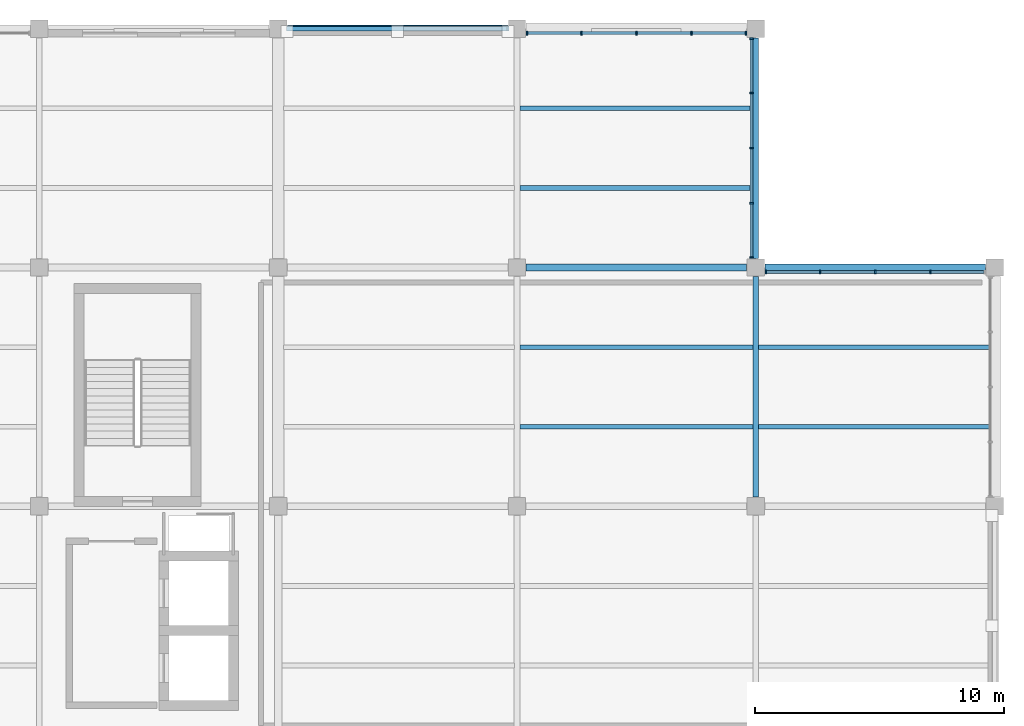
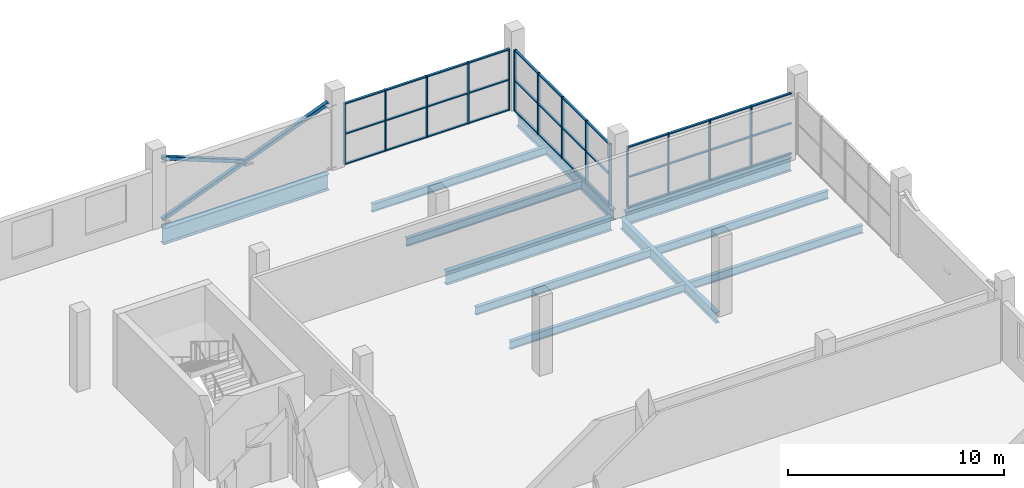
# One storey, part 46 of 92: 52 members, 11 beams, 3 elements without a shape of their own.
"""IFC4 building model written with IfcOpenShell, lengths in metres."""

from ifc_helpers import new_model, si_unit, direction, frame, origin, origin_2d, place, context, subcontext, project, spatial, rectangle, hollow_rectangle, i_section, extrude, material, layer, layer_set, material_profile, profile_set, type_object, element, aggregate, save


model = new_model("IFC4")

# Units and contexts
model_context = context("Model", 3, precision=1e-05, world=origin(), true_north=direction((0.0, 1.0)))
body_context = subcontext(model_context, "Body", "Model", "MODEL_VIEW")
ifc_project = project(units=[si_unit("LENGTHUNIT", "METRE"), si_unit("AREAUNIT", "SQUARE_METRE"), si_unit("VOLUMEUNIT", "CUBIC_METRE"), si_unit("PLANEANGLEUNIT", "RADIAN"), si_unit("MASSUNIT", "GRAM", prefix="KILO")], contexts=[model_context])

# Site, building, storey
site_placement = place(None, origin())
site = spatial("IfcSite", under=ifc_project, at=site_placement, CompositionType="ELEMENT")
building_placement = place(site_placement, origin())
building = spatial("IfcBuilding", under=site, at=building_placement, Name="Caelomonte Colonnade Arena", CompositionType="ELEMENT")
storey_placement = place(building_placement, frame((0.0, 0.0, 9.60009765625)))
storey = spatial("IfcBuildingStorey", under=building, at=storey_placement, Name="L02", CompositionType="ELEMENT", Elevation=9.60009765625)

# Curtain wall, members
ifc_material_1 = material(Name="Bronze anodised aluminium and low-E glazing", Category="aluminium")
ifc_layer = layer(ifc_material_1, 0.179931640625)
ifc_layer_set = layer_set([ifc_layer], Name="Bronze anodised aluminium and low-E glazing")
curtain_wall_type = type_object("IfcCurtainWallType", Name="ENV-CW-CW-L02-96-35", PredefinedType="USERDEFINED", material=ifc_layer_set)
curtain_wall_1_placement = place(storey_placement, origin())
curtain_wall_1 = element("IfcCurtainWall", 1, at=curtain_wall_1_placement, inside=storey, type_object=curtain_wall_type, Name="L02 unitized curtain wall CW-L02-1872-1342", ObjectType="UNITIZED CURTAIN WALL", PredefinedType="USERDEFINED")
ifc_material_2 = material(Name="Bronze anodised aluminium AA6063-T6", Category="aluminium")
ifc_material_profile_1 = material_profile(ifc_material_2, rectangle(XDim=0.06494140625, YDim=0.14990234375, at=origin_2d()), Name="CWM-65X150")
ifc_profile_set_1 = profile_set([ifc_material_profile_1], Name="Bronze anodised aluminium AA6063-T6")
member_type_1 = type_object("IfcMemberType", Name="ENV-CW-MULL2", PredefinedType="MULLION", material=ifc_profile_set_1)
member_1_placement = place(storey_placement, frame((189.4150390625, 134.219970703125, 0.0), z_axis=(0.0, 0.0, 1.0), x_axis=(-1.0, 0.0, 0.0)))
member_1 = element("IfcMember", 2, at=member_1_placement, type_object=member_type_1, Name="CW-L02-96-35 mullion 2", PredefinedType="MULLION", context=body_context, shape_type="SweptSolid", body=[
    extrude(rectangle(XDim=0.06494140625, YDim=0.14990234375, at=origin_2d()), origin(), (0.0, 0.0, 1.0), 3.465576171875),
])
member_2_placement = place(storey_placement, frame((187.199951171875, 134.219970703125, 0.0), z_axis=(0.0, 0.0, 1.0), x_axis=(-1.0, 0.0, 0.0)))
member_2 = element("IfcMember", 3, at=member_2_placement, type_object=member_type_1, Name="CW-L02-96-35 mullion 3", PredefinedType="MULLION", context=body_context, shape_type="SweptSolid", body=[
    extrude(rectangle(XDim=0.06494140625, YDim=0.14990234375, at=origin_2d()), origin(), (0.0, 0.0, 1.0), 3.465576171875),
])
member_3_placement = place(storey_placement, frame((184.985107421875, 134.219970703125, 0.0), z_axis=(0.0, 0.0, 1.0), x_axis=(-1.0, 0.0, 0.0)))
member_3 = element("IfcMember", 4, at=member_3_placement, type_object=member_type_1, Name="CW-L02-96-35 mullion 4", PredefinedType="MULLION", context=body_context, shape_type="SweptSolid", body=[
    extrude(rectangle(XDim=0.06494140625, YDim=0.14990234375, at=origin_2d()), origin(), (0.0, 0.0, 1.0), 3.465576171875),
])
member_4_placement = place(storey_placement, frame((182.802490234375, 134.219970703125, 0.0), z_axis=(0.0, 0.0, 1.0), x_axis=(-1.0, 0.0, 0.0)))
member_4 = element("IfcMember", 5, at=member_4_placement, type_object=member_type_1, Name="CW-L02-96-35 mullion 5", PredefinedType="MULLION", context=body_context, shape_type="SweptSolid", body=[
    extrude(rectangle(XDim=0.06494140625, YDim=0.14990234375, at=origin_2d()), origin(), (0.0, 0.0, 1.0), 3.465576171875),
])

curtain_wall_2_placement = place(storey_placement, origin())
curtain_wall_2 = element("IfcCurtainWall", 6, at=curtain_wall_2_placement, inside=storey, type_object=curtain_wall_type, Name="L02 unitized curtain wall CW-L02-1822-1392", ObjectType="UNITIZED CURTAIN WALL", PredefinedType="USERDEFINED")
member_5_placement = place(storey_placement, frame((182.219970703125, 134.802490234375, 0.0), z_axis=(0.0, 0.0, 1.0), x_axis=(0.0, 1.0, 0.0)))
member_5 = element("IfcMember", 7, at=member_5_placement, type_object=member_type_1, Name="CW-L02-96-35 mullion 1", PredefinedType="MULLION", context=body_context, shape_type="SweptSolid", body=[
    extrude(rectangle(XDim=0.06494140625, YDim=0.14990234375, at=origin_2d()), origin(), (0.0, 0.0, 1.0), 3.469970703125),
])
member_6_placement = place(storey_placement, frame((182.219970703125, 136.985107421875, 0.0), z_axis=(0.0, 0.0, 1.0), x_axis=(0.0, 1.0, 0.0)))
member_6 = element("IfcMember", 8, at=member_6_placement, type_object=member_type_1, Name="CW-L02-96-35 mullion 2", PredefinedType="MULLION", context=body_context, shape_type="SweptSolid", body=[
    extrude(rectangle(XDim=0.06494140625, YDim=0.14990234375, at=origin_2d()), origin(), (0.0, 0.0, 1.0), 3.469970703125),
])
member_7_placement = place(storey_placement, frame((182.219970703125, 139.199951171875, 0.0), z_axis=(0.0, 0.0, 1.0), x_axis=(0.0, 1.0, 0.0)))
member_7 = element("IfcMember", 9, at=member_7_placement, type_object=member_type_1, Name="CW-L02-96-35 mullion 3", PredefinedType="MULLION", context=body_context, shape_type="SweptSolid", body=[
    extrude(rectangle(XDim=0.06494140625, YDim=0.14990234375, at=origin_2d()), origin(), (0.0, 0.0, 1.0), 3.469970703125),
])
member_8_placement = place(storey_placement, frame((182.219970703125, 141.4150390625, 0.0), z_axis=(0.0, 0.0, 1.0), x_axis=(0.0, 1.0, 0.0)))
member_8 = element("IfcMember", 10, at=member_8_placement, type_object=member_type_1, Name="CW-L02-96-35 mullion 4", PredefinedType="MULLION", context=body_context, shape_type="SweptSolid", body=[
    extrude(rectangle(XDim=0.06494140625, YDim=0.14990234375, at=origin_2d()), origin(), (0.0, 0.0, 1.0), 3.469970703125),
])
member_9_placement = place(storey_placement, frame((182.219970703125, 143.597412109375, 0.0), z_axis=(0.0, 0.0, 1.0), x_axis=(0.0, 1.0, 0.0)))
member_9 = element("IfcMember", 11, at=member_9_placement, type_object=member_type_1, Name="CW-L02-96-35 mullion 5", PredefinedType="MULLION", context=body_context, shape_type="SweptSolid", body=[
    extrude(rectangle(XDim=0.06494140625, YDim=0.14990234375, at=origin_2d()), origin(), (0.0, 0.0, 1.0), 3.469970703125),
])

curtain_wall_3_placement = place(storey_placement, origin())
curtain_wall_3 = element("IfcCurtainWall", 12, at=curtain_wall_3_placement, inside=storey, type_object=curtain_wall_type, Name="L02 unitized curtain wall CW-L02-1776-1438", ObjectType="UNITIZED CURTAIN WALL", PredefinedType="USERDEFINED")
member_10_placement = place(storey_placement, frame((181.99755859375, 143.820068359375, 0.0), z_axis=(0.0, 0.0, 1.0), x_axis=(-1.0, 0.0, 0.0)))
member_10 = element("IfcMember", 13, at=member_10_placement, type_object=member_type_1, Name="CW-L02-96-35 mullion 1", PredefinedType="MULLION", context=body_context, shape_type="SweptSolid", body=[
    extrude(rectangle(XDim=0.06494140625, YDim=0.14990234375, at=origin_2d()), origin(), (0.0, 0.0, 1.0), 3.469970703125),
])
member_11_placement = place(storey_placement, frame((179.81494140625, 143.820068359375, 0.0), z_axis=(0.0, 0.0, 1.0), x_axis=(-1.0, 0.0, 0.0)))
member_11 = element("IfcMember", 14, at=member_11_placement, type_object=member_type_1, Name="CW-L02-96-35 mullion 2", PredefinedType="MULLION", context=body_context, shape_type="SweptSolid", body=[
    extrude(rectangle(XDim=0.06494140625, YDim=0.14990234375, at=origin_2d()), origin(), (0.0, 0.0, 1.0), 3.469970703125),
])
member_12_placement = place(storey_placement, frame((177.60009765625, 143.820068359375, 0.0), z_axis=(0.0, 0.0, 1.0), x_axis=(-1.0, 0.0, 0.0)))
member_12 = element("IfcMember", 15, at=member_12_placement, type_object=member_type_1, Name="CW-L02-96-35 mullion 3", PredefinedType="MULLION", context=body_context, shape_type="SweptSolid", body=[
    extrude(rectangle(XDim=0.06494140625, YDim=0.14990234375, at=origin_2d()), origin(), (0.0, 0.0, 1.0), 3.469970703125),
])
member_13_placement = place(storey_placement, frame((175.385009765625, 143.820068359375, 0.0), z_axis=(0.0, 0.0, 1.0), x_axis=(-1.0, 0.0, 0.0)))
member_13 = element("IfcMember", 16, at=member_13_placement, type_object=member_type_1, Name="CW-L02-96-35 mullion 4", PredefinedType="MULLION", context=body_context, shape_type="SweptSolid", body=[
    extrude(rectangle(XDim=0.06494140625, YDim=0.14990234375, at=origin_2d()), origin(), (0.0, 0.0, 1.0), 3.469970703125),
])
member_14_placement = place(storey_placement, frame((173.202392578125, 143.820068359375, 0.0), z_axis=(0.0, 0.0, 1.0), x_axis=(-1.0, 0.0, 0.0)))
member_14 = element("IfcMember", 17, at=member_14_placement, type_object=member_type_1, Name="CW-L02-96-35 mullion 5", PredefinedType="MULLION", context=body_context, shape_type="SweptSolid", body=[
    extrude(rectangle(XDim=0.06494140625, YDim=0.14990234375, at=origin_2d()), origin(), (0.0, 0.0, 1.0), 3.469970703125),
])

# Member
ifc_material_profile_2 = material_profile(ifc_material_2, rectangle(XDim=0.06494140625, YDim=0.1201171875, at=origin_2d()), Name="CWT-65X120")
ifc_profile_set_2 = profile_set([ifc_material_profile_2], Name="Bronze anodised aluminium AA6063-T6")
member_type_2 = type_object("IfcMemberType", Name="ENV-CW-TRAN2", PredefinedType="USERDEFINED", material=ifc_profile_set_2)
member_15_placement = place(storey_placement, frame((191.56494140625, 134.219970703125, 0.032470703125), z_axis=(-1.0, 0.0, 0.0), x_axis=(0.0, 0.0, 1.0)))
member_15 = element("IfcMember", 18, at=member_15_placement, type_object=member_type_2, Name="CW-L02-96-35 transom 1.1", ObjectType="TRANSOM", PredefinedType="USERDEFINED", context=body_context, shape_type="SweptSolid", body=[
    extrude(rectangle(XDim=0.06494140625, YDim=0.1201171875, at=origin_2d()), origin(), (0.0, 0.0, 1.0), 2.117431640625),
])

member_16_placement = place(storey_placement, frame((191.56494140625, 134.219970703125, 1.732666015625), z_axis=(-1.0, 0.0, 0.0), x_axis=(0.0, 0.0, 1.0)))
member_16 = element("IfcMember", 19, at=member_16_placement, type_object=member_type_2, Name="CW-L02-96-35 transom 1.2", ObjectType="TRANSOM", PredefinedType="USERDEFINED", context=body_context, shape_type="SweptSolid", body=[
    extrude(rectangle(XDim=0.06494140625, YDim=0.1201171875, at=origin_2d()), origin(), (0.0, 0.0, 1.0), 2.117431640625),
])

member_17_placement = place(storey_placement, frame((191.56494140625, 134.219970703125, 3.43310546875), z_axis=(-1.0, 0.0, 0.0), x_axis=(0.0, 0.0, 1.0)))
member_17 = element("IfcMember", 20, at=member_17_placement, type_object=member_type_2, Name="CW-L02-96-35 transom 1.3", ObjectType="TRANSOM", PredefinedType="USERDEFINED", context=body_context, shape_type="SweptSolid", body=[
    extrude(rectangle(XDim=0.06494140625, YDim=0.1201171875, at=origin_2d()), origin(), (0.0, 0.0, 1.0), 2.117431640625),
])

member_18_placement = place(storey_placement, frame((189.382568359375, 134.219970703125, 0.032470703125), z_axis=(-1.0, 0.0, 0.0), x_axis=(0.0, 0.0, 1.0)))
member_18 = element("IfcMember", 21, at=member_18_placement, type_object=member_type_2, Name="CW-L02-96-35 transom 2.1", ObjectType="TRANSOM", PredefinedType="USERDEFINED", context=body_context, shape_type="SweptSolid", body=[
    extrude(rectangle(XDim=0.06494140625, YDim=0.1201171875, at=origin_2d()), origin(), (0.0, 0.0, 1.0), 2.150146484375),
])

member_19_placement = place(storey_placement, frame((189.382568359375, 134.219970703125, 1.732666015625), z_axis=(-1.0, 0.0, 0.0), x_axis=(0.0, 0.0, 1.0)))
member_19 = element("IfcMember", 22, at=member_19_placement, type_object=member_type_2, Name="CW-L02-96-35 transom 2.2", ObjectType="TRANSOM", PredefinedType="USERDEFINED", context=body_context, shape_type="SweptSolid", body=[
    extrude(rectangle(XDim=0.06494140625, YDim=0.1201171875, at=origin_2d()), origin(), (0.0, 0.0, 1.0), 2.150146484375),
])

member_20_placement = place(storey_placement, frame((189.382568359375, 134.219970703125, 3.43310546875), z_axis=(-1.0, 0.0, 0.0), x_axis=(0.0, 0.0, 1.0)))
member_20 = element("IfcMember", 23, at=member_20_placement, type_object=member_type_2, Name="CW-L02-96-35 transom 2.3", ObjectType="TRANSOM", PredefinedType="USERDEFINED", context=body_context, shape_type="SweptSolid", body=[
    extrude(rectangle(XDim=0.06494140625, YDim=0.1201171875, at=origin_2d()), origin(), (0.0, 0.0, 1.0), 2.150146484375),
])

member_21_placement = place(storey_placement, frame((187.16748046875, 134.219970703125, 0.032470703125), z_axis=(-1.0, 0.0, 0.0), x_axis=(0.0, 0.0, 1.0)))
member_21 = element("IfcMember", 24, at=member_21_placement, type_object=member_type_2, Name="CW-L02-96-35 transom 3.1", ObjectType="TRANSOM", PredefinedType="USERDEFINED", context=body_context, shape_type="SweptSolid", body=[
    extrude(rectangle(XDim=0.06494140625, YDim=0.1201171875, at=origin_2d()), origin(), (0.0, 0.0, 1.0), 2.14990234375),
])

member_22_placement = place(storey_placement, frame((187.16748046875, 134.219970703125, 1.732666015625), z_axis=(-1.0, 0.0, 0.0), x_axis=(0.0, 0.0, 1.0)))
member_22 = element("IfcMember", 25, at=member_22_placement, type_object=member_type_2, Name="CW-L02-96-35 transom 3.2", ObjectType="TRANSOM", PredefinedType="USERDEFINED", context=body_context, shape_type="SweptSolid", body=[
    extrude(rectangle(XDim=0.06494140625, YDim=0.1201171875, at=origin_2d()), origin(), (0.0, 0.0, 1.0), 2.14990234375),
])

member_23_placement = place(storey_placement, frame((187.16748046875, 134.219970703125, 3.43310546875), z_axis=(-1.0, 0.0, 0.0), x_axis=(0.0, 0.0, 1.0)))
member_23 = element("IfcMember", 26, at=member_23_placement, type_object=member_type_2, Name="CW-L02-96-35 transom 3.3", ObjectType="TRANSOM", PredefinedType="USERDEFINED", context=body_context, shape_type="SweptSolid", body=[
    extrude(rectangle(XDim=0.06494140625, YDim=0.1201171875, at=origin_2d()), origin(), (0.0, 0.0, 1.0), 2.14990234375),
])

member_24_placement = place(storey_placement, frame((184.952392578125, 134.219970703125, 0.032470703125), z_axis=(-1.0, 0.0, 0.0), x_axis=(0.0, 0.0, 1.0)))
member_24 = element("IfcMember", 27, at=member_24_placement, type_object=member_type_2, Name="CW-L02-96-35 transom 4.1", ObjectType="TRANSOM", PredefinedType="USERDEFINED", context=body_context, shape_type="SweptSolid", body=[
    extrude(rectangle(XDim=0.06494140625, YDim=0.1201171875, at=origin_2d()), origin(), (0.0, 0.0, 1.0), 2.117431640625),
])

member_25_placement = place(storey_placement, frame((184.952392578125, 134.219970703125, 1.732666015625), z_axis=(-1.0, 0.0, 0.0), x_axis=(0.0, 0.0, 1.0)))
member_25 = element("IfcMember", 28, at=member_25_placement, type_object=member_type_2, Name="CW-L02-96-35 transom 4.2", ObjectType="TRANSOM", PredefinedType="USERDEFINED", context=body_context, shape_type="SweptSolid", body=[
    extrude(rectangle(XDim=0.06494140625, YDim=0.1201171875, at=origin_2d()), origin(), (0.0, 0.0, 1.0), 2.117431640625),
])

member_26_placement = place(storey_placement, frame((184.952392578125, 134.219970703125, 3.43310546875), z_axis=(-1.0, 0.0, 0.0), x_axis=(0.0, 0.0, 1.0)))
member_26 = element("IfcMember", 29, at=member_26_placement, type_object=member_type_2, Name="CW-L02-96-35 transom 4.3", ObjectType="TRANSOM", PredefinedType="USERDEFINED", context=body_context, shape_type="SweptSolid", body=[
    extrude(rectangle(XDim=0.06494140625, YDim=0.1201171875, at=origin_2d()), origin(), (0.0, 0.0, 1.0), 2.117431640625),
])

aggregate(curtain_wall_1, [member_1, member_2, member_3, member_4, member_15, member_16, member_17, member_18, member_19, member_20, member_21, member_22, member_23, member_24, member_25, member_26])

member_27_placement = place(storey_placement, frame((182.219970703125, 134.8349609375, 0.032470703125), z_axis=(0.0, 1.0, 0.0), x_axis=(0.0, 0.0, 1.0)))
member_27 = element("IfcMember", 30, at=member_27_placement, type_object=member_type_2, Name="CW-L02-96-35 transom 1.1", ObjectType="TRANSOM", PredefinedType="USERDEFINED", context=body_context, shape_type="SweptSolid", body=[
    extrude(rectangle(XDim=0.06494140625, YDim=0.1201171875, at=origin_2d()), origin(), (0.0, 0.0, 1.0), 2.117431640625),
])

member_28_placement = place(storey_placement, frame((182.219970703125, 134.8349609375, 1.73486328125), z_axis=(0.0, 1.0, 0.0), x_axis=(0.0, 0.0, 1.0)))
member_28 = element("IfcMember", 31, at=member_28_placement, type_object=member_type_2, Name="CW-L02-96-35 transom 1.2", ObjectType="TRANSOM", PredefinedType="USERDEFINED", context=body_context, shape_type="SweptSolid", body=[
    extrude(rectangle(XDim=0.06494140625, YDim=0.1201171875, at=origin_2d()), origin(), (0.0, 0.0, 1.0), 2.117431640625),
])

member_29_placement = place(storey_placement, frame((182.219970703125, 134.8349609375, 3.4375), z_axis=(0.0, 1.0, 0.0), x_axis=(0.0, 0.0, 1.0)))
member_29 = element("IfcMember", 32, at=member_29_placement, type_object=member_type_2, Name="CW-L02-96-35 transom 1.3", ObjectType="TRANSOM", PredefinedType="USERDEFINED", context=body_context, shape_type="SweptSolid", body=[
    extrude(rectangle(XDim=0.06494140625, YDim=0.1201171875, at=origin_2d()), origin(), (0.0, 0.0, 1.0), 2.117431640625),
])

member_30_placement = place(storey_placement, frame((182.219970703125, 137.017578125, 0.032470703125), z_axis=(0.0, 1.0, 0.0), x_axis=(0.0, 0.0, 1.0)))
member_30 = element("IfcMember", 33, at=member_30_placement, type_object=member_type_2, Name="CW-L02-96-35 transom 2.1", ObjectType="TRANSOM", PredefinedType="USERDEFINED", context=body_context, shape_type="SweptSolid", body=[
    extrude(rectangle(XDim=0.06494140625, YDim=0.1201171875, at=origin_2d()), origin(), (0.0, 0.0, 1.0), 2.14990234375),
])

member_31_placement = place(storey_placement, frame((182.219970703125, 137.017578125, 1.73486328125), z_axis=(0.0, 1.0, 0.0), x_axis=(0.0, 0.0, 1.0)))
member_31 = element("IfcMember", 34, at=member_31_placement, type_object=member_type_2, Name="CW-L02-96-35 transom 2.2", ObjectType="TRANSOM", PredefinedType="USERDEFINED", context=body_context, shape_type="SweptSolid", body=[
    extrude(rectangle(XDim=0.06494140625, YDim=0.1201171875, at=origin_2d()), origin(), (0.0, 0.0, 1.0), 2.14990234375),
])

member_32_placement = place(storey_placement, frame((182.219970703125, 137.017578125, 3.4375), z_axis=(0.0, 1.0, 0.0), x_axis=(0.0, 0.0, 1.0)))
member_32 = element("IfcMember", 35, at=member_32_placement, type_object=member_type_2, Name="CW-L02-96-35 transom 2.3", ObjectType="TRANSOM", PredefinedType="USERDEFINED", context=body_context, shape_type="SweptSolid", body=[
    extrude(rectangle(XDim=0.06494140625, YDim=0.1201171875, at=origin_2d()), origin(), (0.0, 0.0, 1.0), 2.14990234375),
])

member_33_placement = place(storey_placement, frame((182.219970703125, 139.232421875, 0.032470703125), z_axis=(0.0, 1.0, 0.0), x_axis=(0.0, 0.0, 1.0)))
member_33 = element("IfcMember", 36, at=member_33_placement, type_object=member_type_2, Name="CW-L02-96-35 transom 3.1", ObjectType="TRANSOM", PredefinedType="USERDEFINED", context=body_context, shape_type="SweptSolid", body=[
    extrude(rectangle(XDim=0.06494140625, YDim=0.1201171875, at=origin_2d()), origin(), (0.0, 0.0, 1.0), 2.150146484375),
])

member_34_placement = place(storey_placement, frame((182.219970703125, 139.232421875, 1.73486328125), z_axis=(0.0, 1.0, 0.0), x_axis=(0.0, 0.0, 1.0)))
member_34 = element("IfcMember", 37, at=member_34_placement, type_object=member_type_2, Name="CW-L02-96-35 transom 3.2", ObjectType="TRANSOM", PredefinedType="USERDEFINED", context=body_context, shape_type="SweptSolid", body=[
    extrude(rectangle(XDim=0.06494140625, YDim=0.1201171875, at=origin_2d()), origin(), (0.0, 0.0, 1.0), 2.150146484375),
])

member_35_placement = place(storey_placement, frame((182.219970703125, 139.232421875, 3.4375), z_axis=(0.0, 1.0, 0.0), x_axis=(0.0, 0.0, 1.0)))
member_35 = element("IfcMember", 38, at=member_35_placement, type_object=member_type_2, Name="CW-L02-96-35 transom 3.3", ObjectType="TRANSOM", PredefinedType="USERDEFINED", context=body_context, shape_type="SweptSolid", body=[
    extrude(rectangle(XDim=0.06494140625, YDim=0.1201171875, at=origin_2d()), origin(), (0.0, 0.0, 1.0), 2.150146484375),
])

member_36_placement = place(storey_placement, frame((182.219970703125, 141.447509765625, 0.032470703125), z_axis=(0.0, 1.0, 0.0), x_axis=(0.0, 0.0, 1.0)))
member_36 = element("IfcMember", 39, at=member_36_placement, type_object=member_type_2, Name="CW-L02-96-35 transom 4.1", ObjectType="TRANSOM", PredefinedType="USERDEFINED", context=body_context, shape_type="SweptSolid", body=[
    extrude(rectangle(XDim=0.06494140625, YDim=0.1201171875, at=origin_2d()), origin(), (0.0, 0.0, 1.0), 2.117431640625),
])

member_37_placement = place(storey_placement, frame((182.219970703125, 141.447509765625, 1.73486328125), z_axis=(0.0, 1.0, 0.0), x_axis=(0.0, 0.0, 1.0)))
member_37 = element("IfcMember", 40, at=member_37_placement, type_object=member_type_2, Name="CW-L02-96-35 transom 4.2", ObjectType="TRANSOM", PredefinedType="USERDEFINED", context=body_context, shape_type="SweptSolid", body=[
    extrude(rectangle(XDim=0.06494140625, YDim=0.1201171875, at=origin_2d()), origin(), (0.0, 0.0, 1.0), 2.117431640625),
])

member_38_placement = place(storey_placement, frame((182.219970703125, 141.447509765625, 3.4375), z_axis=(0.0, 1.0, 0.0), x_axis=(0.0, 0.0, 1.0)))
member_38 = element("IfcMember", 41, at=member_38_placement, type_object=member_type_2, Name="CW-L02-96-35 transom 4.3", ObjectType="TRANSOM", PredefinedType="USERDEFINED", context=body_context, shape_type="SweptSolid", body=[
    extrude(rectangle(XDim=0.06494140625, YDim=0.1201171875, at=origin_2d()), origin(), (0.0, 0.0, 1.0), 2.117431640625),
])

aggregate(curtain_wall_2, [member_5, member_6, member_7, member_8, member_9, member_27, member_28, member_29, member_30, member_31, member_32, member_33, member_34, member_35, member_36, member_37, member_38])

member_39_placement = place(storey_placement, frame((181.965087890625, 143.820068359375, 0.032470703125), z_axis=(-1.0, 0.0, 0.0), x_axis=(0.0, 0.0, 1.0)))
member_39 = element("IfcMember", 42, at=member_39_placement, type_object=member_type_2, Name="CW-L02-96-35 transom 1.1", ObjectType="TRANSOM", PredefinedType="USERDEFINED", context=body_context, shape_type="SweptSolid", body=[
    extrude(rectangle(XDim=0.06494140625, YDim=0.1201171875, at=origin_2d()), origin(), (0.0, 0.0, 1.0), 2.11767578125),
])

member_40_placement = place(storey_placement, frame((181.965087890625, 143.820068359375, 1.73486328125), z_axis=(-1.0, 0.0, 0.0), x_axis=(0.0, 0.0, 1.0)))
member_40 = element("IfcMember", 43, at=member_40_placement, type_object=member_type_2, Name="CW-L02-96-35 transom 1.2", ObjectType="TRANSOM", PredefinedType="USERDEFINED", context=body_context, shape_type="SweptSolid", body=[
    extrude(rectangle(XDim=0.06494140625, YDim=0.1201171875, at=origin_2d()), origin(), (0.0, 0.0, 1.0), 2.11767578125),
])

member_41_placement = place(storey_placement, frame((181.965087890625, 143.820068359375, 3.4375), z_axis=(-1.0, 0.0, 0.0), x_axis=(0.0, 0.0, 1.0)))
member_41 = element("IfcMember", 44, at=member_41_placement, type_object=member_type_2, Name="CW-L02-96-35 transom 1.3", ObjectType="TRANSOM", PredefinedType="USERDEFINED", context=body_context, shape_type="SweptSolid", body=[
    extrude(rectangle(XDim=0.06494140625, YDim=0.1201171875, at=origin_2d()), origin(), (0.0, 0.0, 1.0), 2.11767578125),
])

member_42_placement = place(storey_placement, frame((179.782470703125, 143.820068359375, 0.032470703125), z_axis=(-1.0, 0.0, 0.0), x_axis=(0.0, 0.0, 1.0)))
member_42 = element("IfcMember", 45, at=member_42_placement, type_object=member_type_2, Name="CW-L02-96-35 transom 2.1", ObjectType="TRANSOM", PredefinedType="USERDEFINED", context=body_context, shape_type="SweptSolid", body=[
    extrude(rectangle(XDim=0.06494140625, YDim=0.1201171875, at=origin_2d()), origin(), (0.0, 0.0, 1.0), 2.14990234375),
])

member_43_placement = place(storey_placement, frame((179.782470703125, 143.820068359375, 1.73486328125), z_axis=(-1.0, 0.0, 0.0), x_axis=(0.0, 0.0, 1.0)))
member_43 = element("IfcMember", 46, at=member_43_placement, type_object=member_type_2, Name="CW-L02-96-35 transom 2.2", ObjectType="TRANSOM", PredefinedType="USERDEFINED", context=body_context, shape_type="SweptSolid", body=[
    extrude(rectangle(XDim=0.06494140625, YDim=0.1201171875, at=origin_2d()), origin(), (0.0, 0.0, 1.0), 2.14990234375),
])

member_44_placement = place(storey_placement, frame((179.782470703125, 143.820068359375, 3.4375), z_axis=(-1.0, 0.0, 0.0), x_axis=(0.0, 0.0, 1.0)))
member_44 = element("IfcMember", 47, at=member_44_placement, type_object=member_type_2, Name="CW-L02-96-35 transom 2.3", ObjectType="TRANSOM", PredefinedType="USERDEFINED", context=body_context, shape_type="SweptSolid", body=[
    extrude(rectangle(XDim=0.06494140625, YDim=0.1201171875, at=origin_2d()), origin(), (0.0, 0.0, 1.0), 2.14990234375),
])

member_45_placement = place(storey_placement, frame((177.5673828125, 143.820068359375, 0.032470703125), z_axis=(-1.0, 0.0, 0.0), x_axis=(0.0, 0.0, 1.0)))
member_45 = element("IfcMember", 48, at=member_45_placement, type_object=member_type_2, Name="CW-L02-96-35 transom 3.1", ObjectType="TRANSOM", PredefinedType="USERDEFINED", context=body_context, shape_type="SweptSolid", body=[
    extrude(rectangle(XDim=0.06494140625, YDim=0.1201171875, at=origin_2d()), origin(), (0.0, 0.0, 1.0), 2.14990234375),
])

member_46_placement = place(storey_placement, frame((177.5673828125, 143.820068359375, 1.73486328125), z_axis=(-1.0, 0.0, 0.0), x_axis=(0.0, 0.0, 1.0)))
member_46 = element("IfcMember", 49, at=member_46_placement, type_object=member_type_2, Name="CW-L02-96-35 transom 3.2", ObjectType="TRANSOM", PredefinedType="USERDEFINED", context=body_context, shape_type="SweptSolid", body=[
    extrude(rectangle(XDim=0.06494140625, YDim=0.1201171875, at=origin_2d()), origin(), (0.0, 0.0, 1.0), 2.14990234375),
])

member_47_placement = place(storey_placement, frame((177.5673828125, 143.820068359375, 3.4375), z_axis=(-1.0, 0.0, 0.0), x_axis=(0.0, 0.0, 1.0)))
member_47 = element("IfcMember", 50, at=member_47_placement, type_object=member_type_2, Name="CW-L02-96-35 transom 3.3", ObjectType="TRANSOM", PredefinedType="USERDEFINED", context=body_context, shape_type="SweptSolid", body=[
    extrude(rectangle(XDim=0.06494140625, YDim=0.1201171875, at=origin_2d()), origin(), (0.0, 0.0, 1.0), 2.14990234375),
])

member_48_placement = place(storey_placement, frame((175.3525390625, 143.820068359375, 0.032470703125), z_axis=(-1.0, 0.0, 0.0), x_axis=(0.0, 0.0, 1.0)))
member_48 = element("IfcMember", 51, at=member_48_placement, type_object=member_type_2, Name="CW-L02-96-35 transom 4.1", ObjectType="TRANSOM", PredefinedType="USERDEFINED", context=body_context, shape_type="SweptSolid", body=[
    extrude(rectangle(XDim=0.06494140625, YDim=0.1201171875, at=origin_2d()), origin(), (0.0, 0.0, 1.0), 2.117431640625),
])

member_49_placement = place(storey_placement, frame((175.3525390625, 143.820068359375, 1.73486328125), z_axis=(-1.0, 0.0, 0.0), x_axis=(0.0, 0.0, 1.0)))
member_49 = element("IfcMember", 52, at=member_49_placement, type_object=member_type_2, Name="CW-L02-96-35 transom 4.2", ObjectType="TRANSOM", PredefinedType="USERDEFINED", context=body_context, shape_type="SweptSolid", body=[
    extrude(rectangle(XDim=0.06494140625, YDim=0.1201171875, at=origin_2d()), origin(), (0.0, 0.0, 1.0), 2.117431640625),
])

member_50_placement = place(storey_placement, frame((175.3525390625, 143.820068359375, 3.4375), z_axis=(-1.0, 0.0, 0.0), x_axis=(0.0, 0.0, 1.0)))
member_50 = element("IfcMember", 53, at=member_50_placement, type_object=member_type_2, Name="CW-L02-96-35 transom 4.3", ObjectType="TRANSOM", PredefinedType="USERDEFINED", context=body_context, shape_type="SweptSolid", body=[
    extrude(rectangle(XDim=0.06494140625, YDim=0.1201171875, at=origin_2d()), origin(), (0.0, 0.0, 1.0), 2.117431640625),
])

aggregate(curtain_wall_3, [member_10, member_11, member_12, member_13, member_14, member_39, member_40, member_41, member_42, member_43, member_44, member_45, member_46, member_47, member_48, member_49, member_50])

# Members
ifc_material_3 = material(Name="Steel ASTM A500 Grade C", Category="steel")
ifc_material_profile_3 = material_profile(ifc_material_3, hollow_rectangle(XDim=0.203125, YDim=0.203125, WallThickness=0.009521484375, InnerFilletRadius=0.009521484375, OuterFilletRadius=0.01904296875, at=origin_2d()), Name="HSS203X203X9.5")
ifc_profile_set_3 = profile_set([ifc_material_profile_3], Name="Steel ASTM A500 Grade C")
member_type_3 = type_object("IfcMemberType", Name="STR-BF-DIAG3", PredefinedType="BRACE", material=ifc_profile_set_3)
member_51_placement = place(storey_placement, frame((163.563720703125, 144.0, 0.161376953125), z_axis=(0.930343300446, 0.0, 0.366689709856), x_axis=(0.0, 1.0, 0.0)))
element("IfcMember", 54, at=member_51_placement, inside=storey, type_object=member_type_3, Name="Braced frame BF3 L02 continuous diagonal A", PredefinedType="BRACE", context=body_context, shape_type="SweptSolid", body=[
    extrude(hollow_rectangle(XDim=0.203125, YDim=0.203125, WallThickness=0.009521484375, InnerFilletRadius=0.009521484375, OuterFilletRadius=0.01904296875, at=origin_2d()), origin(), (0.0, 0.0, 1.0), 9.536865234375),
])
member_52_placement = place(storey_placement, frame((167.847412109375, 144.0, 1.97021484375), z_axis=(-0.930355232807, 0.0, 0.366659434336), x_axis=(0.0, -1.0, 0.0)))
element("IfcMember", 55, at=member_52_placement, inside=storey, type_object=member_type_3, Name="Braced frame BF3 L02 split diagonal B2", PredefinedType="BRACE", context=body_context, shape_type="SweptSolid", body=[
    extrude(hollow_rectangle(XDim=0.203125, YDim=0.203125, WallThickness=0.009521484375, InnerFilletRadius=0.009521484375, OuterFilletRadius=0.01904296875, at=origin_2d()), origin(), (0.0, 0.0, 1.0), 4.604248046875),
])

# Beams
ifc_material_4 = material(Name="Wide-flange steel ASTM A992 Grade 50", Category="steel")
ifc_material_profile_4 = material_profile(ifc_material_4, i_section(OverallWidth=0.307861328125, OverallDepth=0.927001953125, WebThickness=0.019287109375, FlangeThickness=0.031982421875, FilletRadius=0.020263671875, at=origin_2d()), Name="W36X194")
ifc_profile_set_4 = profile_set([ifc_material_profile_4], Name="Wide-flange steel ASTM A992 Grade 50")
beam_type_1 = type_object("IfcBeamType", Name="STR-BM-EAVES2", PredefinedType="SPANDREL", material=ifc_profile_set_4)
beam_placement = place(storey_placement, frame((163.56689453125, 144.0, -0.74365234375), z_axis=(1.0, 0.0, 0.0), x_axis=(0.0, 1.0, 0.0)))
element("IfcBeam", 56, at=beam_placement, inside=storey, type_object=beam_type_1, Name="L02 girder BMX-L02-1632-1440", PredefinedType="SPANDREL", context=body_context, shape_type="SweptSolid", body=[
    extrude(i_section(OverallWidth=0.307861328125, OverallDepth=0.927001953125, WebThickness=0.019287109375, FlangeThickness=0.031982421875, FilletRadius=0.020263671875, at=origin_2d()), origin(), (0.0, 0.0, 1.0), 8.8662109375),
])
ifc_material_profile_5 = material_profile(ifc_material_4, i_section(OverallWidth=0.228271484375, OverallDepth=0.607177734375, WebThickness=0.01123046875, FlangeThickness=0.017333984375, FilletRadius=0.0126953125, at=origin_2d()), Name="W24X76")
ifc_profile_set_5 = profile_set([ifc_material_profile_5], Name="Wide-flange steel ASTM A992 Grade 50")
beam_type_2 = type_object("IfcBeamType", Name="STR-BM-GIRD24", PredefinedType="BEAM", material=ifc_profile_set_5)
for number, where, z_axis, x_axis, name in (
    (57, (182.39990234375, 125.1669921875, -0.58349609375), (0.0, 1.0, 0.0), (-1.0, 0.0, 0.0), "L02 girder BMY-L02-1824-1248"),
    (58, (182.39990234375, 134.76708984375, -0.58349609375), (0.0, 1.0, 0.0), (-1.0, 0.0, 0.0), "L02 girder BMY-L02-1824-1344"),
):
    element("IfcBeam", number, at=place(storey_placement, frame(where, z_axis=z_axis, x_axis=x_axis)), inside=storey, type_object=beam_type_2, Name=name, PredefinedType="BEAM", context=body_context, shape_type="SweptSolid", body=[
        extrude(i_section(OverallWidth=0.228271484375, OverallDepth=0.607177734375, WebThickness=0.01123046875, FlangeThickness=0.017333984375, FilletRadius=0.0126953125, at=origin_2d()), origin(), (0.0, 0.0, 1.0), 8.865966796875),
    ])
ifc_material_profile_6 = material_profile(ifc_material_4, i_section(OverallWidth=0.2666015625, OverallDepth=0.761962890625, WebThickness=0.014404296875, FlangeThickness=0.021484375, FilletRadius=0.0166015625, at=origin_2d()), Name="W30X116")
ifc_profile_set_6 = profile_set([ifc_material_profile_6], Name="Wide-flange steel ASTM A992 Grade 50")
beam_type_3 = type_object("IfcBeamType", Name="STR-BM-GIRD30", PredefinedType="BEAM", material=ifc_profile_set_6)
for number, where, z_axis, x_axis, name in (
    (59, (173.1669921875, 134.39990234375, -0.6611328125), (1.0, 0.0, 0.0), (0.0, 1.0, 0.0), "L02 girder BMX-L02-1728-1344"),
    (60, (182.76708984375, 134.39990234375, -0.6611328125), (1.0, 0.0, 0.0), (0.0, 1.0, 0.0), "L02 girder BMX-L02-1824-1344"),
):
    element("IfcBeam", number, at=place(storey_placement, frame(where, z_axis=z_axis, x_axis=x_axis)), inside=storey, type_object=beam_type_3, Name=name, PredefinedType="BEAM", context=body_context, shape_type="SweptSolid", body=[
        extrude(i_section(OverallWidth=0.2666015625, OverallDepth=0.761962890625, WebThickness=0.014404296875, FlangeThickness=0.021484375, FilletRadius=0.0166015625, at=origin_2d()), origin(), (0.0, 0.0, 1.0), 8.865966796875),
    ])
ifc_material_profile_7 = material_profile(ifc_material_4, i_section(OverallWidth=0.1904296875, OverallDepth=0.457275390625, WebThickness=0.009033203125, FlangeThickness=0.014404296875, FilletRadius=0.01025390625, at=origin_2d()), Name="W18X50")
ifc_profile_set_7 = profile_set([ifc_material_profile_7], Name="Wide-flange steel ASTM A992 Grade 50")
beam_type_4 = type_object("IfcBeamType", Name="STR-BM-JOIST18", PredefinedType="JOIST", material=ifc_profile_set_7)
for number, where, z_axis, x_axis, name in (
    (61, (172.9091796875, 128.0, -0.5087890625), (1.0, 0.0, 0.0), (0.0, 1.0, 0.0), "L02 secondary joist 1"),
    (62, (172.9091796875, 131.199951171875, -0.5087890625), (1.0, 0.0, 0.0), (0.0, 1.0, 0.0), "L02 secondary joist 2"),
    (63, (172.9091796875, 137.60009765625, -0.5087890625), (1.0, 0.0, 0.0), (0.0, 1.0, 0.0), "L02 secondary joist 1"),
    (64, (172.9091796875, 140.800048828125, -0.5087890625), (1.0, 0.0, 0.0), (0.0, 1.0, 0.0), "L02 secondary joist 2"),
):
    element("IfcBeam", number, at=place(storey_placement, frame(where, z_axis=z_axis, x_axis=x_axis)), inside=storey, type_object=beam_type_4, Name=name, PredefinedType="JOIST", context=body_context, shape_type="SweptSolid", body=[
        extrude(i_section(OverallWidth=0.1904296875, OverallDepth=0.457275390625, WebThickness=0.009033203125, FlangeThickness=0.014404296875, FilletRadius=0.01025390625, at=origin_2d()), origin(), (0.0, 0.0, 1.0), 9.3818359375),
    ])
for number, where, z_axis, x_axis, name in (
    (65, (182.50927734375, 128.0, -0.5087890625), (1.0, 0.0, 0.0), (0.0, 1.0, 0.0), "L02 secondary joist 1"),
    (66, (182.50927734375, 131.199951171875, -0.5087890625), (1.0, 0.0, 0.0), (0.0, 1.0, 0.0), "L02 secondary joist 2"),
):
    element("IfcBeam", number, at=place(storey_placement, frame(where, z_axis=z_axis, x_axis=x_axis)), inside=storey, type_object=beam_type_4, Name=name, PredefinedType="JOIST", context=body_context, shape_type="SweptSolid", body=[
        extrude(i_section(OverallWidth=0.1904296875, OverallDepth=0.457275390625, WebThickness=0.009033203125, FlangeThickness=0.014404296875, FilletRadius=0.01025390625, at=origin_2d()), origin(), (0.0, 0.0, 1.0), 9.270751953125),
    ])

save(model, "model.ifc")
